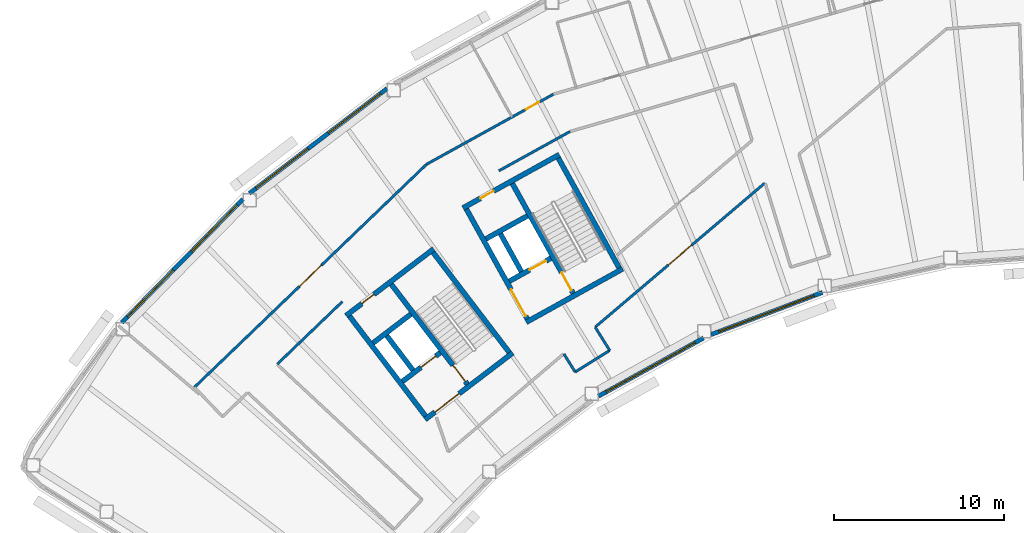
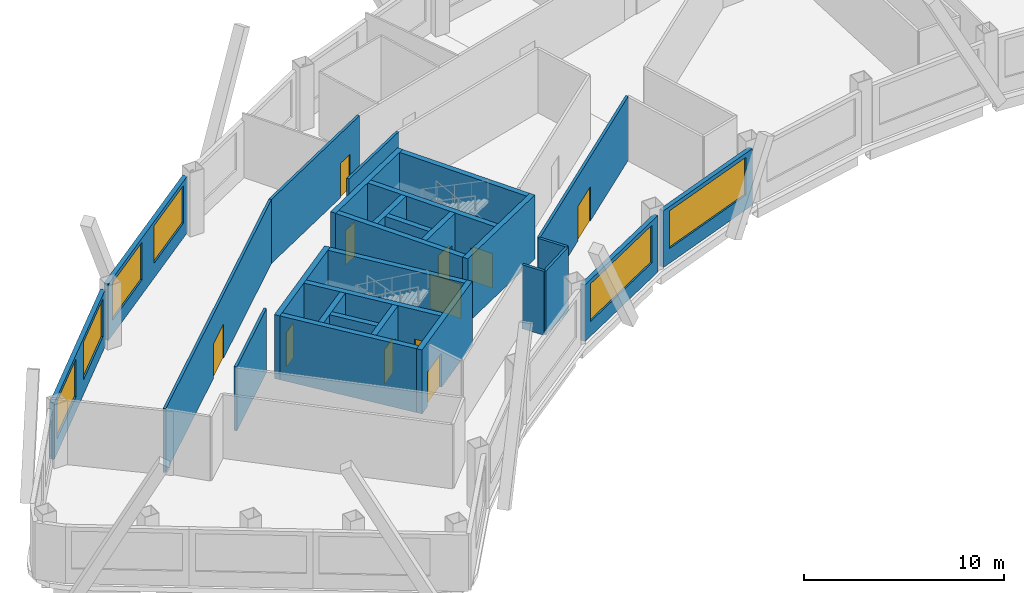
# One storey, part 5 of 12: 28 walls, 11 doors, 6 windows, 17 openings.
"""IFC4 building model written with IfcOpenShell, lengths in metres."""

from ifc_helpers import new_model, si_unit, direction, frame, frame_2d, origin, place, context, subcontext, project, spatial, rectangle, extrude, material, layer, layer_set, type_object, element, fill, save


model = new_model("IFC4")

# Units and contexts
model_context = context("Model", 3, precision=1e-05, world=origin(), true_north=direction((0.0, 1.0)))
body_context = subcontext(model_context, "Body", "Model", "MODEL_VIEW")
ifc_project = project(units=[si_unit("LENGTHUNIT", "METRE"), si_unit("AREAUNIT", "SQUARE_METRE"), si_unit("VOLUMEUNIT", "CUBIC_METRE"), si_unit("PLANEANGLEUNIT", "RADIAN"), si_unit("MASSUNIT", "GRAM", prefix="KILO")], contexts=[model_context])

# Site, building, storey
site_placement = place(None, origin())
site = spatial("IfcSite", under=ifc_project, at=site_placement, CompositionType="ELEMENT")
building_placement = place(site_placement, origin())
building = spatial("IfcBuilding", under=site, at=building_placement, Name="Tuul Gate Civic Tower", CompositionType="ELEMENT")
storey_placement = place(building_placement, frame((0.0, 0.0, 336.5)))
storey = spatial("IfcBuildingStorey", under=building, at=storey_placement, Name="Level 76", CompositionType="ELEMENT", Elevation=336.5)

# Wall, opening, door
ifc_material_1 = material(Name="Concrete C50/60", Category="concrete")
ifc_layer_1 = layer(ifc_material_1, 0.300048828125)
ifc_layer_set_1 = layer_set([ifc_layer_1], Name="Concrete C50/60")
wall_type_1 = type_object("IfcWallType", Name="Core wall C50/60", PredefinedType="SHEAR", material=ifc_layer_set_1)
wall_1_placement = place(storey_placement, frame((-31.19091796875, -13.669677734375, 0.0), z_axis=(0.0, 0.0, 1.0), x_axis=(-0.795606717756, -0.605813461934, 0.0)))
wall_1 = element("IfcWall", 1, at=wall_1_placement, inside=storey, type_object=wall_type_1, Name="Core wall", PredefinedType="SHEAR", context=body_context, shape_type="SweptSolid", body=[
    extrude(rectangle(XDim=6.5, YDim=0.300048828125, at=frame_2d((3.25, 0.0))), origin(), (0.0, 0.0, 1.0), 3.89990234375),
])
opening_1_placement = place(wall_1_placement, frame((3.97509765625, 0.0, 0.0)))
opening_1 = element("IfcOpeningElement", 2, at=opening_1_placement, cuts=wall_1, Name="Opening LB-W1-LOBBY-1", PredefinedType="OPENING", context=body_context, shape_type="SweptSolid", body=[
    extrude(rectangle(XDim=1.800048828125, YDim=2.10009765625, at=frame_2d((0.89990234375, 1.050048828125))), frame((0.0, 0.16015625, 0.0), z_axis=(0.0, -1.0, 0.0), x_axis=(1.0, 0.0, 0.0)), (0.0, 0.0, 1.0), 0.320068359375),
])
ifc_material_2 = material(Name="Steel", Category="steel")
door_type_1 = type_object("IfcDoorType", Name="Lobby door", OperationType="DOUBLE_DOOR_SINGLE_SWING", PredefinedType="DOOR", material=ifc_material_2)
door_1_placement = place(opening_1_placement, origin())
door_1 = element("IfcDoor", 3, at=door_1_placement, inside=storey, type_object=door_type_1, Name="Lobby door W1-LOBBY", OperationType="DOUBLE_DOOR_SINGLE_SWING", OverallHeight=2.10009765625, OverallWidth=1.800048828125, PredefinedType="DOOR", context=body_context, shape_type="SweptSolid", body=[
    extrude(rectangle(XDim=1.800048828125, YDim=2.10009765625, at=frame_2d((0.89990234375, 1.050048828125))), frame((0.0, 0.02490234375, 0.0), z_axis=(0.0, -1.0, 0.0), x_axis=(1.0, 0.0, 0.0)), (0.0, 0.0, 1.0), 0.050048828125),
])
fill(opening_1, door_1)

wall_2_placement = place(storey_placement, frame((-35.470947265625, -13.66064453125, 0.0), z_axis=(0.0, 0.0, 1.0), x_axis=(-0.795615822227, -0.605801504968, 0.0)))
wall_2 = element("IfcWall", 4, at=wall_2_placement, inside=storey, type_object=wall_type_1, Name="Core wall", PredefinedType="SHEAR", context=body_context, shape_type="SweptSolid", body=[
    extrude(rectangle(XDim=2.800048828125, YDim=0.300048828125, at=frame_2d((1.39990234375, 0.0))), origin(), (0.0, 0.0, 1.0), 3.89990234375),
])
opening_2_placement = place(wall_2_placement, frame((0.324951171875, 0.0, 0.0)))
opening_2 = element("IfcOpeningElement", 5, at=opening_2_placement, cuts=wall_2, Name="Opening LD-H1", PredefinedType="OPENING", context=body_context, shape_type="SweptSolid", body=[
    extrude(rectangle(XDim=1.10009765625, YDim=2.10009765625, at=frame_2d((0.550048828125, 1.050048828125))), frame((0.0, 0.16015625, 0.0), z_axis=(0.0, -1.0, 0.0), x_axis=(1.0, 0.0, 0.0)), (0.0, 0.0, 1.0), 0.320068359375),
])
ifc_material_3 = material(Name="Stainless steel", Category="steel")
door_type_2 = type_object("IfcDoorType", Name="Landing door", OperationType="DOUBLE_DOOR_SLIDING", PredefinedType="DOOR", material=ifc_material_3)
door_2_placement = place(opening_2_placement, origin())
door_2 = element("IfcDoor", 6, at=door_2_placement, inside=storey, type_object=door_type_2, Name="High-rise lift H1 landing door", OperationType="DOUBLE_DOOR_SLIDING", OverallHeight=2.10009765625, OverallWidth=1.10009765625, PredefinedType="DOOR", context=body_context, shape_type="SweptSolid", body=[
    extrude(rectangle(XDim=1.10009765625, YDim=2.10009765625, at=frame_2d((0.550048828125, 1.050048828125))), frame((0.0, 0.02490234375, 0.0), z_axis=(0.0, -1.0, 0.0), x_axis=(1.0, 0.0, 0.0)), (0.0, 0.0, 1.0), 0.050048828125),
])
fill(opening_2, door_2)

# Wall
wall_3_placement = place(storey_placement, frame((-37.197509765625, -11.39306640625, 0.0), z_axis=(0.0, 0.0, 1.0), x_axis=(-0.795583820278, -0.605843531707, 0.0)))
element("IfcWall", 7, at=wall_3_placement, inside=storey, type_object=wall_type_1, Name="Core wall", PredefinedType="SHEAR", context=body_context, shape_type="SweptSolid", body=[
    extrude(rectangle(XDim=2.7998046875, YDim=0.300048828125, at=frame_2d((1.39990234375, 0.0))), origin(), (0.0, 0.0, 1.0), 3.89990234375),
])

# Wall, opening, door
wall_4_placement = place(storey_placement, frame((-35.855224609375, -7.543212890625, 0.0), z_axis=(0.0, 0.0, 1.0), x_axis=(-0.79563860527, -0.605771582202, 0.0)))
wall_4 = element("IfcWall", 8, at=wall_4_placement, inside=storey, type_object=wall_type_1, Name="Core wall", PredefinedType="SHEAR", context=body_context, shape_type="SweptSolid", body=[
    extrude(rectangle(XDim=6.5, YDim=0.300048828125, at=frame_2d((3.25, 0.0))), origin(), (0.0, 0.0, 1.0), 3.89990234375),
])
opening_3_placement = place(wall_4_placement, frame((4.425048828125, 0.0, 0.0)))
opening_3 = element("IfcOpeningElement", 9, at=opening_3_placement, cuts=wall_4, Name="Opening AB-D14", PredefinedType="OPENING", context=body_context, shape_type="SweptSolid", body=[
    extrude(rectangle(XDim=0.89990234375, YDim=2.10009765625, at=frame_2d((0.449951171875, 1.050048828125))), frame((0.0, 0.16015625, 0.0), z_axis=(0.0, -1.0, 0.0), x_axis=(1.0, 0.0, 0.0)), (0.0, 0.0, 1.0), 0.320068359375),
])
ifc_material_4 = material(Name="Timber door leaf", Category="wood")
door_type_3 = type_object("IfcDoorType", Name="Door D09", OperationType="NOTDEFINED", PredefinedType="DOOR", material=ifc_material_4)
door_3_placement = place(opening_3_placement, origin())
door_3 = element("IfcDoor", 10, at=door_3_placement, inside=storey, type_object=door_type_3, Name="Door AB-D14", OperationType="SINGLE_SWING_LEFT", OverallHeight=2.10009765625, OverallWidth=0.89990234375, PredefinedType="DOOR", context=body_context, shape_type="SweptSolid", body=[
    extrude(rectangle(XDim=0.89990234375, YDim=2.10009765625, at=frame_2d((0.449951171875, 1.050048828125))), frame((0.0, 0.02490234375, 0.0), z_axis=(0.0, -1.0, 0.0), x_axis=(1.0, 0.0, 0.0)), (0.0, 0.0, 1.0), 0.050048828125),
])
fill(opening_3, door_3)

# Wall
wall_5_placement = place(storey_placement, frame((-31.401123046875, -13.64111328125, 0.0), z_axis=(0.0, 0.0, 1.0), x_axis=(-0.605769822278, 0.795639945213, 0.0)))
element("IfcWall", 11, at=wall_5_placement, inside=storey, type_object=wall_type_1, Name="Core wall", PredefinedType="SHEAR", context=body_context, shape_type="SweptSolid", body=[
    extrude(rectangle(XDim=7.39990234375, YDim=0.300048828125, at=frame_2d((3.699951171875, 0.0))), origin(), (0.0, 0.0, 1.0), 3.89990234375),
])

# Wall, opening, door
wall_6_placement = place(storey_placement, frame((-33.867431640625, -15.51904296875, 0.0), z_axis=(0.0, 0.0, 1.0), x_axis=(-0.605769822278, 0.795639945213, 0.0)))
wall_6 = element("IfcWall", 12, at=wall_6_placement, inside=storey, type_object=wall_type_1, Name="Core wall", PredefinedType="SHEAR", context=body_context, shape_type="SweptSolid", body=[
    extrude(rectangle(XDim=7.39990234375, YDim=0.300048828125, at=frame_2d((3.699951171875, 0.0))), origin(), (0.0, 0.0, 1.0), 3.89990234375),
])
opening_4_placement = place(wall_6_placement, frame((0.199951171875, 0.0, 0.0)))
opening_4 = element("IfcOpeningElement", 13, at=opening_4_placement, cuts=wall_6, Name="Opening SD-ST-1", PredefinedType="OPENING", context=body_context, shape_type="SweptSolid", body=[
    extrude(rectangle(XDim=1.199951171875, YDim=2.10009765625, at=frame_2d((0.60009765625, 1.050048828125))), frame((0.0, 0.16015625, 0.0), z_axis=(0.0, -1.0, 0.0), x_axis=(1.0, 0.0, 0.0)), (0.0, 0.0, 1.0), 0.320068359375),
])
ifc_material_5 = material(Name="Steel", Category="steel")
door_type_4 = type_object("IfcDoorType", Name="Stair door", OperationType="NOTDEFINED", PredefinedType="DOOR", material=ifc_material_5)
door_4_placement = place(opening_4_placement, origin())
door_4 = element("IfcDoor", 14, at=door_4_placement, inside=storey, type_object=door_type_4, Name="Stair door ST-1", OperationType="SINGLE_SWING_LEFT", OverallHeight=2.10009765625, OverallWidth=1.199951171875, PredefinedType="DOOR", context=body_context, shape_type="SweptSolid", body=[
    extrude(rectangle(XDim=1.199951171875, YDim=2.10009765625, at=frame_2d((0.60009765625, 1.050048828125))), frame((0.0, 0.02490234375, 0.0), z_axis=(0.0, -1.0, 0.0), x_axis=(1.0, 0.0, 0.0)), (0.0, 0.0, 1.0), 0.050048828125),
])
fill(opening_4, door_4)

# Walls
wall_7_placement = place(storey_placement, frame((-37.073486328125, -14.6923828125, 0.0), z_axis=(0.0, 0.0, 1.0), x_axis=(-0.605728760074, 0.79567120673, 0.0)))
element("IfcWall", 15, at=wall_7_placement, inside=storey, type_object=wall_type_1, Name="Core wall", PredefinedType="SHEAR", context=body_context, shape_type="SweptSolid", body=[
    extrude(rectangle(XDim=2.550048828125, YDim=0.300048828125, at=frame_2d((1.27490234375, 0.0))), origin(), (0.0, 0.0, 1.0), 3.89990234375),
])
wall_8_placement = place(storey_placement, frame((-36.333984375, -17.397216796875, 0.0), z_axis=(0.0, 0.0, 1.0), x_axis=(-0.605753921168, 0.795652051458, 0.0)))
element("IfcWall", 16, at=wall_8_placement, inside=storey, type_object=wall_type_1, Name="Core wall", PredefinedType="SHEAR", context=body_context, shape_type="SweptSolid", body=[
    extrude(rectangle(XDim=7.400146484375, YDim=0.300048828125, at=frame_2d((3.7001953125, 0.0))), origin(), (0.0, 0.0, 1.0), 3.89990234375),
])
wall_9_placement = place(storey_placement, frame((-24.711669921875, -8.7158203125, 0.0), z_axis=(0.0, 0.0, 1.0), x_axis=(-0.874629909008, -0.484791215132, 0.0)))
element("IfcWall", 17, at=wall_9_placement, inside=storey, type_object=wall_type_1, Name="Core wall", PredefinedType="SHEAR", context=body_context, shape_type="SweptSolid", body=[
    extrude(rectangle(XDim=6.5, YDim=0.300048828125, at=frame_2d((3.25, 0.0))), origin(), (0.0, 0.0, 1.0), 3.89990234375),
])

# Wall, opening, door
wall_10_placement = place(storey_placement, frame((-28.94580078125, -8.090087890625, 0.0), z_axis=(0.0, 0.0, 1.0), x_axis=(-0.874629840737, -0.484791338301, 0.0)))
wall_10 = element("IfcWall", 18, at=wall_10_placement, inside=storey, type_object=wall_type_1, Name="Core wall", PredefinedType="SHEAR", context=body_context, shape_type="SweptSolid", body=[
    extrude(rectangle(XDim=2.800048828125, YDim=0.300048828125, at=frame_2d((1.39990234375, 0.0))), origin(), (0.0, 0.0, 1.0), 3.89990234375),
])
opening_5_placement = place(wall_10_placement, frame((0.324951171875, 0.0, 0.0)))
opening_5 = element("IfcOpeningElement", 19, at=opening_5_placement, cuts=wall_10, Name="Opening LD-FF-1", PredefinedType="OPENING", context=body_context, shape_type="SweptSolid", body=[
    extrude(rectangle(XDim=1.10009765625, YDim=2.10009765625, at=frame_2d((0.550048828125, 1.050048828125))), frame((0.0, 0.16015625, 0.0), z_axis=(0.0, -1.0, 0.0), x_axis=(1.0, 0.0, 0.0)), (0.0, 0.0, 1.0), 0.320068359375),
])
door_5_placement = place(opening_5_placement, origin())
door_5 = element("IfcDoor", 20, at=door_5_placement, inside=storey, type_object=door_type_2, Name="Fire-fighting lift FF-1 landing door", OperationType="DOUBLE_DOOR_SLIDING", OverallHeight=2.10009765625, OverallWidth=1.10009765625, PredefinedType="DOOR", context=body_context, shape_type="SweptSolid", body=[
    extrude(rectangle(XDim=1.10009765625, YDim=2.10009765625, at=frame_2d((0.550048828125, 1.050048828125))), frame((0.0, 0.02490234375, 0.0), z_axis=(0.0, -1.0, 0.0), x_axis=(1.0, 0.0, 0.0)), (0.0, 0.0, 1.0), 0.050048828125),
])
fill(opening_5, door_5)

# Wall
wall_11_placement = place(storey_placement, frame((-30.327392578125, -5.59716796875, 0.0), z_axis=(0.0, 0.0, 1.0), x_axis=(-0.874629840737, -0.484791338301, 0.0)))
element("IfcWall", 21, at=wall_11_placement, inside=storey, type_object=wall_type_1, Name="Core wall", PredefinedType="SHEAR", context=body_context, shape_type="SweptSolid", body=[
    extrude(rectangle(XDim=2.800048828125, YDim=0.300048828125, at=frame_2d((1.39990234375, 0.0))), origin(), (0.0, 0.0, 1.0), 3.89990234375),
])

# Wall, opening, door
wall_12_placement = place(storey_placement, frame((-28.4443359375, -1.98095703125, 0.0), z_axis=(0.0, 0.0, 1.0), x_axis=(-0.874629909008, -0.484791215132, 0.0)))
wall_12 = element("IfcWall", 22, at=wall_12_placement, inside=storey, type_object=wall_type_1, Name="Core wall", PredefinedType="SHEAR", context=body_context, shape_type="SweptSolid", body=[
    extrude(rectangle(XDim=6.5, YDim=0.300048828125, at=frame_2d((3.25, 0.0))), origin(), (0.0, 0.0, 1.0), 3.89990234375),
])
opening_6_placement = place(wall_12_placement, frame((4.425048828125, 0.0, 0.0)))
opening_6 = element("IfcOpeningElement", 23, at=opening_6_placement, cuts=wall_12, Name="Opening AB-D15", PredefinedType="OPENING", context=body_context, shape_type="SweptSolid", body=[
    extrude(rectangle(XDim=0.89990234375, YDim=2.10009765625, at=frame_2d((0.449951171875, 1.050048828125))), frame((0.0, 0.16015625, 0.0), z_axis=(0.0, -1.0, 0.0), x_axis=(1.0, 0.0, 0.0)), (0.0, 0.0, 1.0), 0.320068359375),
])
door_6_placement = place(opening_6_placement, origin())
door_6 = element("IfcDoor", 24, at=door_6_placement, inside=storey, type_object=door_type_3, Name="Door AB-D15", OperationType="SINGLE_SWING_LEFT", OverallHeight=2.10009765625, OverallWidth=0.89990234375, PredefinedType="DOOR", context=body_context, shape_type="SweptSolid", body=[
    extrude(rectangle(XDim=0.89990234375, YDim=2.10009765625, at=frame_2d((0.449951171875, 1.050048828125))), frame((0.0, 0.02490234375, 0.0), z_axis=(0.0, -1.0, 0.0), x_axis=(1.0, 0.0, 0.0)), (0.0, 0.0, 1.0), 0.050048828125),
])
fill(opening_6, door_6)

# Wall
wall_13_placement = place(storey_placement, frame((-24.91552734375, -8.6572265625, 0.0), z_axis=(0.0, 0.0, 1.0), x_axis=(-0.484777133038, 0.874637714304, 0.0)))
element("IfcWall", 25, at=wall_13_placement, inside=storey, type_object=wall_type_1, Name="Core wall", PredefinedType="SHEAR", context=body_context, shape_type="SweptSolid", body=[
    extrude(rectangle(XDim=7.400146484375, YDim=0.300048828125, at=frame_2d((3.7001953125, 0.0))), origin(), (0.0, 0.0, 1.0), 3.89990234375),
])

# Wall, opening, door
wall_14_placement = place(storey_placement, frame((-27.626953125, -10.16015625, 0.0), z_axis=(0.0, 0.0, 1.0), x_axis=(-0.484751894226, 0.874651702704, 0.0)))
wall_14 = element("IfcWall", 26, at=wall_14_placement, inside=storey, type_object=wall_type_1, Name="Core wall", PredefinedType="SHEAR", context=body_context, shape_type="SweptSolid", body=[
    extrude(rectangle(XDim=7.39990234375, YDim=0.300048828125, at=frame_2d((3.699951171875, 0.0))), origin(), (0.0, 0.0, 1.0), 3.89990234375),
])
opening_7_placement = place(wall_14_placement, frame((0.199951171875, 0.0, 0.0)))
opening_7 = element("IfcOpeningElement", 27, at=opening_7_placement, cuts=wall_14, Name="Opening SD-ST-2", PredefinedType="OPENING", context=body_context, shape_type="SweptSolid", body=[
    extrude(rectangle(XDim=1.199951171875, YDim=2.10009765625, at=frame_2d((0.60009765625, 1.050048828125))), frame((0.0, 0.16015625, 0.0), z_axis=(0.0, -1.0, 0.0), x_axis=(1.0, 0.0, 0.0)), (0.0, 0.0, 1.0), 0.320068359375),
])
door_7_placement = place(opening_7_placement, origin())
door_7 = element("IfcDoor", 28, at=door_7_placement, inside=storey, type_object=door_type_4, Name="Stair door ST-2", OperationType="SINGLE_SWING_LEFT", OverallHeight=2.10009765625, OverallWidth=1.199951171875, PredefinedType="DOOR", context=body_context, shape_type="SweptSolid", body=[
    extrude(rectangle(XDim=1.199951171875, YDim=2.10009765625, at=frame_2d((0.60009765625, 1.050048828125))), frame((0.0, 0.02490234375, 0.0), z_axis=(0.0, -1.0, 0.0), x_axis=(1.0, 0.0, 0.0)), (0.0, 0.0, 1.0), 0.050048828125),
])
fill(opening_7, door_7)

# Wall
wall_15_placement = place(storey_placement, frame((-30.680419921875, -8.8798828125, 0.0), z_axis=(0.0, 0.0, 1.0), x_axis=(-0.484724115216, 0.874667097888, 0.0)))
element("IfcWall", 29, at=wall_15_placement, inside=storey, type_object=wall_type_1, Name="Core wall", PredefinedType="SHEAR", context=body_context, shape_type="SweptSolid", body=[
    extrude(rectangle(XDim=2.550048828125, YDim=0.300048828125, at=frame_2d((1.27490234375, 0.0))), origin(), (0.0, 0.0, 1.0), 3.89990234375),
])

# Wall, opening, door
wall_16_placement = place(storey_placement, frame((-30.33837890625, -11.6630859375, 0.0), z_axis=(0.0, 0.0, 1.0), x_axis=(-0.484751894226, 0.874651702704, 0.0)))
wall_16 = element("IfcWall", 30, at=wall_16_placement, inside=storey, type_object=wall_type_1, Name="Core wall", PredefinedType="SHEAR", context=body_context, shape_type="SweptSolid", body=[
    extrude(rectangle(XDim=7.39990234375, YDim=0.300048828125, at=frame_2d((3.699951171875, 0.0))), origin(), (0.0, 0.0, 1.0), 3.89990234375),
])
opening_8_placement = place(wall_16_placement, frame((0.175048828125, 0.0, 0.0)))
opening_8 = element("IfcOpeningElement", 31, at=opening_8_placement, cuts=wall_16, Name="Opening LB-W2-FLOBBY-1", PredefinedType="OPENING", context=body_context, shape_type="SweptSolid", body=[
    extrude(rectangle(XDim=1.800048828125, YDim=2.10009765625, at=frame_2d((0.89990234375, 1.050048828125))), frame((0.0, 0.16015625, 0.0), z_axis=(0.0, -1.0, 0.0), x_axis=(1.0, 0.0, 0.0)), (0.0, 0.0, 1.0), 0.320068359375),
])
door_8_placement = place(opening_8_placement, origin())
door_8 = element("IfcDoor", 32, at=door_8_placement, inside=storey, type_object=door_type_1, Name="Lobby door W2-FLOBBY", OperationType="DOUBLE_DOOR_SINGLE_SWING", OverallHeight=2.10009765625, OverallWidth=1.800048828125, PredefinedType="DOOR", context=body_context, shape_type="SweptSolid", body=[
    extrude(rectangle(XDim=1.800048828125, YDim=2.10009765625, at=frame_2d((0.89990234375, 1.050048828125))), frame((0.0, 0.02490234375, 0.0), z_axis=(0.0, -1.0, 0.0), x_axis=(1.0, 0.0, 0.0)), (0.0, 0.0, 1.0), 0.050048828125),
])
fill(opening_8, door_8)

ifc_material_6 = material(Name="Gypsum board partition")
ifc_layer_2 = layer(ifc_material_6, 0.14990234375)
ifc_layer_set_2 = layer_set([ifc_layer_2], Name="Gypsum board partition")
wall_type_2 = type_object("IfcWallType", Name="Corridor wall P150", PredefinedType="PARTITIONING", material=ifc_layer_set_2)
wall_17_placement = place(storey_placement, frame((-36.273193359375, -2.5517578125, 0.0), z_axis=(0.0, 0.0, 1.0), x_axis=(0.875264133396, 0.483645217892, 0.0)))
wall_17 = element("IfcWall", 33, at=wall_17_placement, inside=storey, type_object=wall_type_2, Name="p028", PredefinedType="PARTITIONING", context=body_context, shape_type="SweptSolid", body=[
    extrude(rectangle(XDim=8.545166015625, YDim=0.14990234375, at=frame_2d((4.2724609375, 0.0))), origin(), (0.0, 0.0, 1.0), 3.89990234375),
])
opening_9_placement = place(wall_17_placement, frame((6.68603515625, 0.0, 0.0)))
opening_9 = element("IfcOpeningElement", 34, at=opening_9_placement, cuts=wall_17, Name="Opening AB-D12", PredefinedType="OPENING", context=body_context, shape_type="SweptSolid", body=[
    extrude(rectangle(XDim=0.89990234375, YDim=2.10009765625, at=frame_2d((0.449951171875, 1.050048828125))), frame((0.0, 0.0849609375, 0.0), z_axis=(0.0, -1.0, 0.0), x_axis=(1.0, 0.0, 0.0)), (0.0, 0.0, 1.0), 0.169921875),
])
door_9_placement = place(opening_9_placement, origin())
door_9 = element("IfcDoor", 35, at=door_9_placement, inside=storey, type_object=door_type_3, Name="Door AB-D12", OperationType="SINGLE_SWING_LEFT", OverallHeight=2.10009765625, OverallWidth=0.89990234375, PredefinedType="DOOR", context=body_context, shape_type="SweptSolid", body=[
    extrude(rectangle(XDim=0.89990234375, YDim=2.10009765625, at=frame_2d((0.449951171875, 1.050048828125))), frame((0.0, 0.02490234375, 0.0), z_axis=(0.0, -1.0, 0.0), x_axis=(1.0, 0.0, 0.0)), (0.0, 0.0, 1.0), 0.050048828125),
])
fill(opening_9, door_9)

wall_18_placement = place(storey_placement, frame((-49.96337890625, -15.701416015625, 0.0), z_axis=(0.0, 0.0, 1.0), x_axis=(0.721200960426, 0.692725901552, 0.0)))
wall_18 = element("IfcWall", 36, at=wall_18_placement, inside=storey, type_object=wall_type_2, Name="p029", PredefinedType="PARTITIONING", context=body_context, shape_type="SweptSolid", body=[
    extrude(rectangle(XDim=18.982421875, YDim=0.14990234375, at=frame_2d((9.4912109375, 0.0))), origin(), (0.0, 0.0, 1.0), 3.89990234375),
])
opening_10_placement = place(wall_18_placement, frame((8.59130859375, 0.0, 0.0)))
opening_10 = element("IfcOpeningElement", 37, at=opening_10_placement, cuts=wall_18, Name="Opening AB-D05", PredefinedType="OPENING", context=body_context, shape_type="SweptSolid", body=[
    extrude(rectangle(XDim=1.800048828125, YDim=2.10009765625, at=frame_2d((0.89990234375, 1.050048828125))), frame((0.0, 0.0849609375, 0.0), z_axis=(0.0, -1.0, 0.0), x_axis=(1.0, 0.0, 0.0)), (0.0, 0.0, 1.0), 0.169921875),
])
ifc_material_7 = material(Name="Timber door leaf, double", Category="wood")
door_type_5 = type_object("IfcDoorType", Name="Door D18", OperationType="DOUBLE_DOOR_SINGLE_SWING", PredefinedType="DOOR", material=ifc_material_7)
door_10_placement = place(opening_10_placement, origin())
door_10 = element("IfcDoor", 38, at=door_10_placement, inside=storey, type_object=door_type_5, Name="Door AB-D05", OperationType="DOUBLE_DOOR_SINGLE_SWING", OverallHeight=2.10009765625, OverallWidth=1.800048828125, PredefinedType="DOOR", context=body_context, shape_type="SweptSolid", body=[
    extrude(rectangle(XDim=1.800048828125, YDim=2.10009765625, at=frame_2d((0.89990234375, 1.050048828125))), frame((0.0, 0.02490234375, 0.0), z_axis=(0.0, -1.0, 0.0), x_axis=(1.0, 0.0, 0.0)), (0.0, 0.0, 1.0), 0.050048828125),
])
fill(opening_10, door_10)

# Wall
wall_19_placement = place(storey_placement, frame((-45.06982421875, -14.32861328125, 0.0), z_axis=(0.0, 0.0, 1.0), x_axis=(0.721217580517, 0.692708597863, 0.0)))
element("IfcWall", 39, at=wall_19_placement, inside=storey, type_object=wall_type_2, Name="p050", PredefinedType="PARTITIONING", context=body_context, shape_type="SweptSolid", body=[
    extrude(rectangle(XDim=5.318115234375, YDim=0.14990234375, at=frame_2d((2.6591796875, 0.0))), origin(), (0.0, 0.0, 1.0), 3.89990234375),
])

# Wall, opening, door
wall_20_placement = place(storey_placement, frame((-26.322021484375, -12.1455078125, 0.0), z_axis=(0.0, 0.0, 1.0), x_axis=(0.762341428819, 0.647175050436, 0.0)))
wall_20 = element("IfcWall", 40, at=wall_20_placement, inside=storey, type_object=wall_type_2, Name="p056", PredefinedType="PARTITIONING", context=body_context, shape_type="SweptSolid", body=[
    extrude(rectangle(XDim=13.10302734375, YDim=0.14990234375, at=frame_2d((6.551513671875, 0.0))), origin(), (0.0, 0.0, 1.0), 3.89990234375),
])
opening_11_placement = place(wall_20_placement, frame((5.651611328125, 0.0, 0.0)))
opening_11 = element("IfcOpeningElement", 41, at=opening_11_placement, cuts=wall_20, Name="Opening AB-D08", PredefinedType="OPENING", context=body_context, shape_type="SweptSolid", body=[
    extrude(rectangle(XDim=1.800048828125, YDim=2.10009765625, at=frame_2d((0.89990234375, 1.050048828125))), frame((0.0, 0.0849609375, 0.0), z_axis=(0.0, -1.0, 0.0), x_axis=(1.0, 0.0, 0.0)), (0.0, 0.0, 1.0), 0.169921875),
])
door_11_placement = place(opening_11_placement, frame((1.800048828125, 0.0, 0.0), z_axis=(0.0, 0.0, 1.0), x_axis=(-1.0, 0.0, 0.0)))
door_11 = element("IfcDoor", 42, at=door_11_placement, inside=storey, type_object=door_type_5, Name="Door AB-D08", OperationType="DOUBLE_DOOR_SINGLE_SWING", OverallHeight=2.10009765625, OverallWidth=1.800048828125, PredefinedType="DOOR", context=body_context, shape_type="SweptSolid", body=[
    extrude(rectangle(XDim=1.800048828125, YDim=2.10009765625, at=frame_2d((0.900146484375, 1.050048828125))), frame((0.0, 0.02490234375, 0.0), z_axis=(0.0, -1.0, 0.0), x_axis=(1.0, 0.0, 0.0)), (0.0, 0.0, 1.0), 0.050048828125),
])
fill(opening_11, door_11)

# Walls
wall_21_placement = place(storey_placement, frame((-28.170654296875, -13.744873046875, 0.0), z_axis=(0.0, 0.0, 1.0), x_axis=(0.529875724893, -0.848075301002, 0.0)))
element("IfcWall", 43, at=wall_21_placement, inside=storey, type_object=wall_type_2, Name="p058", PredefinedType="PARTITIONING", context=body_context, shape_type="SweptSolid", body=[
    extrude(rectangle(XDim=1.246826171875, YDim=0.14990234375, at=frame_2d((0.62353515625, 0.0))), origin(), (0.0, 0.0, 1.0), 3.89990234375),
])
wall_22_placement = place(storey_placement, frame((-27.510009765625, -14.80224609375, 0.0), z_axis=(0.0, 0.0, 1.0), x_axis=(0.848072588448, 0.529880066358, 0.0)))
element("IfcWall", 44, at=wall_22_placement, inside=storey, type_object=wall_type_2, Name="p059", PredefinedType="PARTITIONING", context=body_context, shape_type="SweptSolid", body=[
    extrude(rectangle(XDim=2.400146484375, YDim=0.14990234375, at=frame_2d((1.2001953125, 0.0))), origin(), (0.0, 0.0, 1.0), 3.89990234375),
])
wall_23_placement = place(storey_placement, frame((-26.32470703125, -12.169921875, 0.0), z_axis=(0.0, 0.0, 1.0), x_axis=(0.529875825978, -0.848075237844, 0.0)))
element("IfcWall", 45, at=wall_23_placement, inside=storey, type_object=wall_type_2, Name="p060", PredefinedType="PARTITIONING", context=body_context, shape_type="SweptSolid", body=[
    extrude(rectangle(XDim=1.604248046875, YDim=0.14990234375, at=frame_2d((0.80224609375, 0.0))), origin(), (0.0, 0.0, 1.0), 3.89990234375),
])
wall_24_placement = place(storey_placement, frame((-32.012939453125, -2.939697265625, 0.0), z_axis=(0.0, 0.0, 1.0), x_axis=(0.875276121577, 0.483623521964, 0.0)))
element("IfcWall", 46, at=wall_24_placement, inside=storey, type_object=wall_type_2, Name="p073", PredefinedType="PARTITIONING", context=body_context, shape_type="SweptSolid", body=[
    extrude(rectangle(XDim=4.796875, YDim=0.14990234375, at=frame_2d((2.3984375, 0.0))), origin(), (0.0, 0.0, 1.0), 3.89990234375),
])

# Wall, openings, windows
ifc_material_8 = material(Name="Precast concrete C40/50", Category="concrete")
ifc_layer_3 = layer(ifc_material_8, 0.25)
ifc_layer_set_3 = layer_set([ifc_layer_3], Name="Precast concrete C40/50")
wall_type_3 = type_object("IfcWallType", Name="External wall", PredefinedType="STANDARD", material=ifc_layer_set_3)
wall_25_placement = place(storey_placement, frame((-38.610107421875, 1.909423828125, 0.0), z_axis=(0.0, 0.0, 1.0), x_axis=(-0.795611005019, -0.605807831488, 0.0)))
wall_25 = element("IfcWall", 47, at=wall_25_placement, inside=storey, type_object=wall_type_3, Name="External wall", PredefinedType="STANDARD", context=body_context, shape_type="SweptSolid", body=[
    extrude(rectangle(XDim=10.188720703125, YDim=0.25, at=frame_2d((5.09423828125, 0.0))), origin(), (0.0, 0.0, 1.0), 3.449951171875),
])
opening_12_placement = place(wall_25_placement, frame((0.47314453125, 0.0, 0.89990234375)))
opening_12 = element("IfcOpeningElement", 48, at=opening_12_placement, cuts=wall_25, Name="Opening W22", PredefinedType="OPENING", context=body_context, shape_type="SweptSolid", body=[
    extrude(rectangle(XDim=3.85009765625, YDim=2.300048828125, at=frame_2d((1.925048828125, 1.14990234375))), frame((0.0, 0.135009765625, 0.0), z_axis=(0.0, -1.0, 0.0), x_axis=(1.0, 0.0, 0.0)), (0.0, 0.0, 1.0), 0.27001953125),
])
opening_13_placement = place(wall_25_placement, frame((5.844482421875, 0.0, 0.89990234375)))
opening_13 = element("IfcOpeningElement", 49, at=opening_13_placement, cuts=wall_25, Name="Opening W22", PredefinedType="OPENING", context=body_context, shape_type="SweptSolid", body=[
    extrude(rectangle(XDim=3.85009765625, YDim=2.300048828125, at=frame_2d((1.925048828125, 1.14990234375))), frame((0.0, 0.135009765625, 0.0), z_axis=(0.0, -1.0, 0.0), x_axis=(1.0, 0.0, 0.0)), (0.0, 0.0, 1.0), 0.27001953125),
])
ifc_material_9 = material(Name="Glass", Category="glass")
window_type_1 = type_object("IfcWindowType", Name="Window W22 3850 x 2300", PartitioningType="SINGLE_PANEL", PredefinedType="WINDOW", material=ifc_material_9)
window_1_placement = place(opening_12_placement, origin())
window_1 = element("IfcWindow", 50, at=window_1_placement, inside=storey, type_object=window_type_1, Name="Window", OverallHeight=2.300048828125, OverallWidth=3.85009765625, PartitioningType="SINGLE_PANEL", PredefinedType="WINDOW", context=body_context, shape_type="SweptSolid", body=[
    extrude(rectangle(XDim=3.85009765625, YDim=2.300048828125, at=frame_2d((1.925048828125, 1.14990234375))), frame((0.0, 0.030029296875, 0.0), z_axis=(0.0, -1.0, 0.0), x_axis=(1.0, 0.0, 0.0)), (0.0, 0.0, 1.0), 0.06005859375),
])
fill(opening_12, window_1)
window_2_placement = place(opening_13_placement, origin())
window_2 = element("IfcWindow", 51, at=window_2_placement, inside=storey, type_object=window_type_1, Name="Window", OverallHeight=2.300048828125, OverallWidth=3.85009765625, PartitioningType="SINGLE_PANEL", PredefinedType="WINDOW", context=body_context, shape_type="SweptSolid", body=[
    extrude(rectangle(XDim=3.85009765625, YDim=2.300048828125, at=frame_2d((1.925048828125, 1.14990234375))), frame((0.0, 0.030029296875, 0.0), z_axis=(0.0, -1.0, 0.0), x_axis=(1.0, 0.0, 0.0)), (0.0, 0.0, 1.0), 0.06005859375),
])
fill(opening_13, window_2)

wall_26_placement = place(storey_placement, frame((-47.10595703125, -4.607666015625, 0.0), z_axis=(0.0, 0.0, 1.0), x_axis=(-0.700055609081, -0.714088330807, 0.0)))
wall_26 = element("IfcWall", 52, at=wall_26_placement, inside=storey, type_object=wall_type_3, Name="External wall", PredefinedType="STANDARD", context=body_context, shape_type="SweptSolid", body=[
    extrude(rectangle(XDim=10.1953125, YDim=0.25, at=frame_2d((5.09765625, 0.0))), origin(), (0.0, 0.0, 1.0), 3.449951171875),
])
opening_14_placement = place(wall_26_placement, frame((0.4873046875, 0.0, 0.89990234375)))
opening_14 = element("IfcOpeningElement", 53, at=opening_14_placement, cuts=wall_26, Name="Opening W22", PredefinedType="OPENING", context=body_context, shape_type="SweptSolid", body=[
    extrude(rectangle(XDim=3.85009765625, YDim=2.300048828125, at=frame_2d((1.925048828125, 1.14990234375))), frame((0.0, 0.135009765625, 0.0), z_axis=(0.0, -1.0, 0.0), x_axis=(1.0, 0.0, 0.0)), (0.0, 0.0, 1.0), 0.27001953125),
])
opening_15_placement = place(wall_26_placement, frame((5.8583984375, 0.0, 0.89990234375)))
opening_15 = element("IfcOpeningElement", 54, at=opening_15_placement, cuts=wall_26, Name="Opening W22", PredefinedType="OPENING", context=body_context, shape_type="SweptSolid", body=[
    extrude(rectangle(XDim=3.85009765625, YDim=2.300048828125, at=frame_2d((1.925048828125, 1.14990234375))), frame((0.0, 0.135009765625, 0.0), z_axis=(0.0, -1.0, 0.0), x_axis=(1.0, 0.0, 0.0)), (0.0, 0.0, 1.0), 0.27001953125),
])
window_3_placement = place(opening_14_placement, origin())
window_3 = element("IfcWindow", 55, at=window_3_placement, inside=storey, type_object=window_type_1, Name="Window", OverallHeight=2.300048828125, OverallWidth=3.85009765625, PartitioningType="SINGLE_PANEL", PredefinedType="WINDOW", context=body_context, shape_type="SweptSolid", body=[
    extrude(rectangle(XDim=3.85009765625, YDim=2.300048828125, at=frame_2d((1.925048828125, 1.14990234375))), frame((0.0, 0.030029296875, 0.0), z_axis=(0.0, -1.0, 0.0), x_axis=(1.0, 0.0, 0.0)), (0.0, 0.0, 1.0), 0.06005859375),
])
fill(opening_14, window_3)
window_4_placement = place(opening_15_placement, origin())
window_4 = element("IfcWindow", 56, at=window_4_placement, inside=storey, type_object=window_type_1, Name="Window", OverallHeight=2.300048828125, OverallWidth=3.85009765625, PartitioningType="SINGLE_PANEL", PredefinedType="WINDOW", context=body_context, shape_type="SweptSolid", body=[
    extrude(rectangle(XDim=3.85009765625, YDim=2.300048828125, at=frame_2d((1.925048828125, 1.14990234375))), frame((0.0, 0.030029296875, 0.0), z_axis=(0.0, -1.0, 0.0), x_axis=(1.0, 0.0, 0.0)), (0.0, 0.0, 1.0), 0.06005859375),
])
fill(opening_15, window_4)

# Wall, opening, window
wall_27_placement = place(storey_placement, frame((-26.135009765625, -16.226318359375, 0.0), z_axis=(0.0, 0.0, 1.0), x_axis=(0.874614232828, 0.484819496034, 0.0)))
wall_27 = element("IfcWall", 57, at=wall_27_placement, inside=storey, type_object=wall_type_3, Name="External wall", PredefinedType="STANDARD", context=body_context, shape_type="SweptSolid", body=[
    extrude(rectangle(XDim=7.07568359375, YDim=0.25, at=frame_2d((3.537841796875, 0.0))), origin(), (0.0, 0.0, 1.0), 3.449951171875),
])
opening_16_placement = place(wall_27_placement, frame((0.51904296875, 0.0, 0.89990234375)))
opening_16 = element("IfcOpeningElement", 58, at=opening_16_placement, cuts=wall_27, Name="Opening W26", PredefinedType="OPENING", context=body_context, shape_type="SweptSolid", body=[
    extrude(rectangle(XDim=6.0, YDim=2.300048828125, at=frame_2d((3.0, 1.14990234375))), frame((0.0, 0.135009765625, 0.0), z_axis=(0.0, -1.0, 0.0), x_axis=(1.0, 0.0, 0.0)), (0.0, 0.0, 1.0), 0.27001953125),
])
ifc_material_10 = material(Name="Glass", Category="glass")
window_type_2 = type_object("IfcWindowType", Name="Window W26 6000 x 2300", PartitioningType="SINGLE_PANEL", PredefinedType="WINDOW", material=ifc_material_10)
window_5_placement = place(opening_16_placement, origin())
window_5 = element("IfcWindow", 59, at=window_5_placement, inside=storey, type_object=window_type_2, Name="Window", OverallHeight=2.300048828125, OverallWidth=6.0, PartitioningType="SINGLE_PANEL", PredefinedType="WINDOW", context=body_context, shape_type="SweptSolid", body=[
    extrude(rectangle(XDim=6.0, YDim=2.300048828125, at=frame_2d((3.0, 1.14990234375))), frame((0.0, 0.030029296875, 0.0), z_axis=(0.0, -1.0, 0.0), x_axis=(1.0, 0.0, 0.0)), (0.0, 0.0, 1.0), 0.06005859375),
])
fill(opening_16, window_5)

wall_28_placement = place(storey_placement, frame((-19.4951171875, -12.592041015625, 0.0), z_axis=(0.0, 0.0, 1.0), x_axis=(0.935367772721, 0.353676589209, 0.0)))
wall_28 = element("IfcWall", 60, at=wall_28_placement, inside=storey, type_object=wall_type_3, Name="External wall", PredefinedType="STANDARD", context=body_context, shape_type="SweptSolid", body=[
    extrude(rectangle(XDim=7.017578125, YDim=0.25, at=frame_2d((3.5087890625, 0.0))), origin(), (0.0, 0.0, 1.0), 3.449951171875),
])
opening_17_placement = place(wall_28_placement, frame((0.491455078125, 0.0, 0.89990234375)))
opening_17 = element("IfcOpeningElement", 61, at=opening_17_placement, cuts=wall_28, Name="Opening W26", PredefinedType="OPENING", context=body_context, shape_type="SweptSolid", body=[
    extrude(rectangle(XDim=6.0, YDim=2.300048828125, at=frame_2d((3.0, 1.14990234375))), frame((0.0, 0.135009765625, 0.0), z_axis=(0.0, -1.0, 0.0), x_axis=(1.0, 0.0, 0.0)), (0.0, 0.0, 1.0), 0.27001953125),
])
window_6_placement = place(opening_17_placement, origin())
window_6 = element("IfcWindow", 62, at=window_6_placement, inside=storey, type_object=window_type_2, Name="Window", OverallHeight=2.300048828125, OverallWidth=6.0, PartitioningType="SINGLE_PANEL", PredefinedType="WINDOW", context=body_context, shape_type="SweptSolid", body=[
    extrude(rectangle(XDim=6.0, YDim=2.300048828125, at=frame_2d((3.0, 1.14990234375))), frame((0.0, 0.030029296875, 0.0), z_axis=(0.0, -1.0, 0.0), x_axis=(1.0, 0.0, 0.0)), (0.0, 0.0, 1.0), 0.06005859375),
])
fill(opening_17, window_6)

save(model, "model.ifc")
